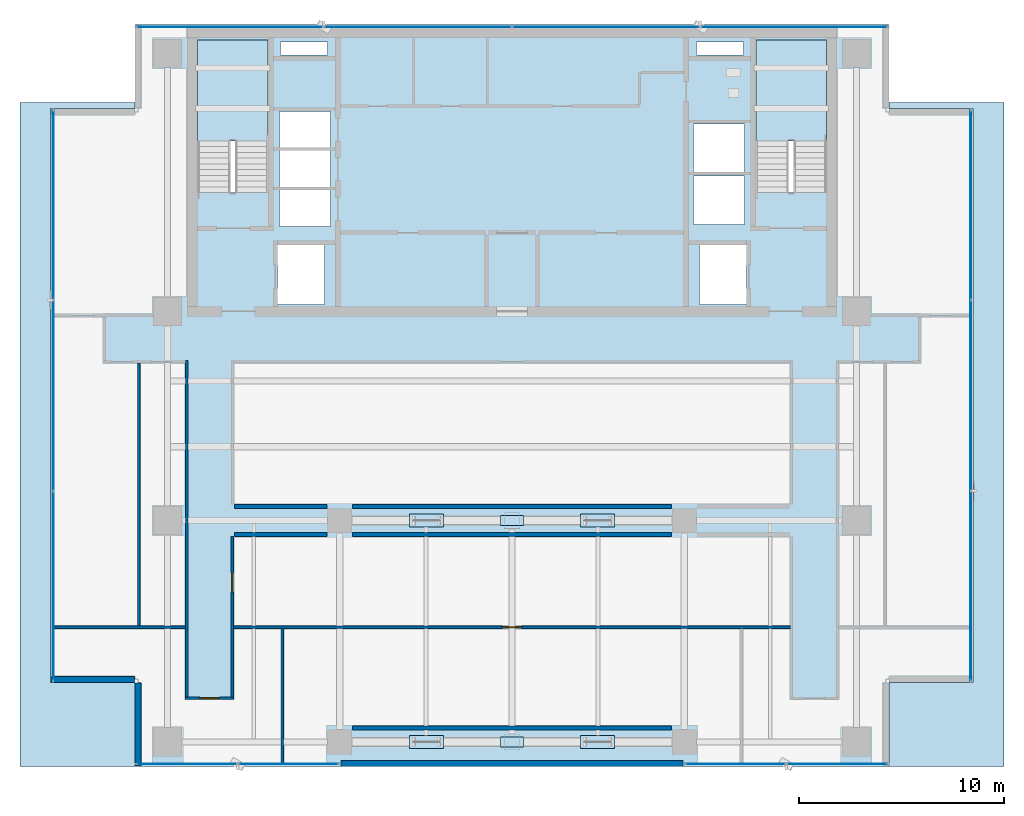
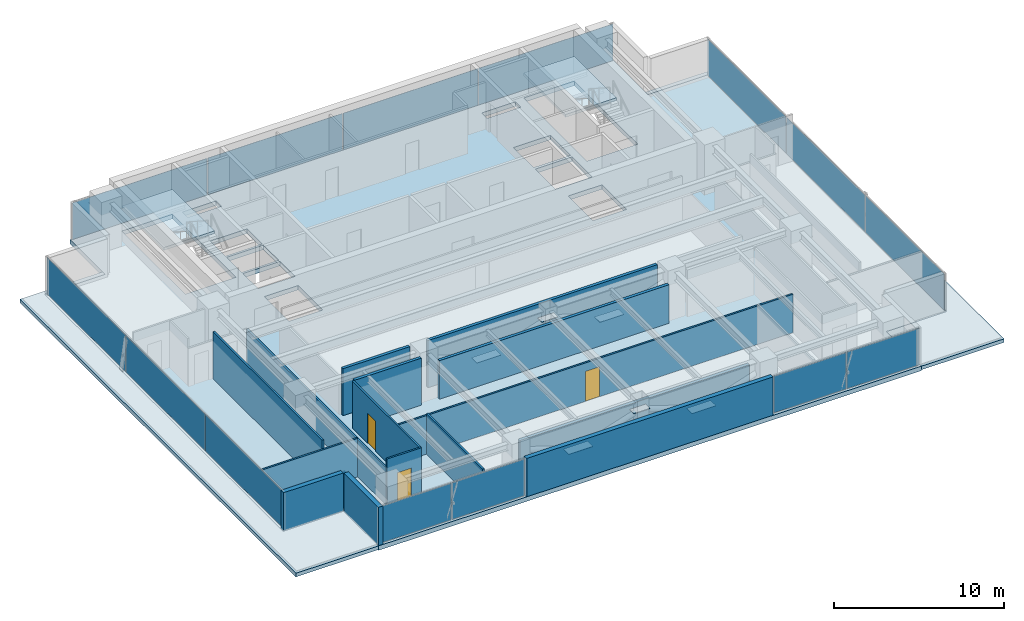
# One storey, part 19 of 27: 20 plates, 15 walls, 5 slabs, 3 doors, 3 openings, 7 elements without a shape of their own.
"""IFC4 building model written with IfcOpenShell, lengths in metres."""

from ifc_helpers import new_model, si_unit, direction, frame, frame_2d, origin, origin_2d, place, context, subcontext, project, spatial, polyline, rectangle, outline, extrude, source, transform, mapped, material, layer, layer_set, type_object, element, fill, aggregate, save


model = new_model("IFC4")

# Units and contexts
model_context = context("Model", 3, precision=1e-05, world=origin(), true_north=direction((0.0, 1.0)))
body_context = subcontext(model_context, "Body", "Model", "MODEL_VIEW")
ifc_project = project(units=[si_unit("LENGTHUNIT", "METRE"), si_unit("AREAUNIT", "SQUARE_METRE"), si_unit("VOLUMEUNIT", "CUBIC_METRE"), si_unit("PLANEANGLEUNIT", "RADIAN"), si_unit("MASSUNIT", "GRAM", prefix="KILO")], contexts=[model_context])

# Site, building, storey
site_placement = place(None, origin())
site = spatial("IfcSite", under=ifc_project, at=site_placement, CompositionType="ELEMENT")
building_placement = place(site_placement, origin())
building = spatial("IfcBuilding", under=site, at=building_placement, Name="Sumidabori Civic Tower", CompositionType="ELEMENT")
storey_placement = place(building_placement, frame((0.0, 0.0, 228.800048828125)))
storey = spatial("IfcBuildingStorey", under=building, at=storey_placement, Name="L59", CompositionType="ELEMENT", Elevation=228.800048828125)

# Stair, slab
ifc_material_1 = material(Name="Concrete C40/50", Category="concrete")
stair_type = type_object("IfcStairType", Name="ST-CORE-1600", PredefinedType="HALF_TURN_STAIR", material=ifc_material_1)
stair_1_placement = place(storey_placement, origin())
stair_1 = element("IfcStair", 1, at=stair_1_placement, inside=storey, type_object=stair_type, Name="L59 ST-1", PredefinedType="HALF_TURN_STAIR")
ifc_layer_1 = layer(ifc_material_1, 0.199951171875, Name="Concrete C40/50")
ifc_layer_set_1 = layer_set([ifc_layer_1], Name="Concrete C40/50")
slab_type_1 = type_object("IfcSlabType", Name="SL-LAND-200", PredefinedType="LANDING", material=ifc_layer_set_1)
slab_1_placement = place(storey_placement, frame((0.0, 0.0, 1.599853515625)))
slab_1 = element("IfcSlab", 2, at=slab_1_placement, type_object=slab_type_1, Name="ST-1 landing 1", PredefinedType="LANDING", context=body_context, shape_type="SweptSolid", body=[
    extrude(outline(polyline([(-11.89990234375, 18.52001953125), (-11.89990234375, 23.449951171875), (-15.340087890625, 23.449951171875), (-15.340087890625, 18.52001953125), (-11.89990234375, 18.52001953125)])), origin(), (0.0, 0.0, 1.0), 0.2001953125),
])
aggregate(stair_1, [slab_1])

stair_2_placement = place(storey_placement, origin())
stair_2 = element("IfcStair", 3, at=stair_2_placement, inside=storey, type_object=stair_type, Name="L59 ST-2", PredefinedType="HALF_TURN_STAIR")
slab_2_placement = place(storey_placement, frame((0.0, 0.0, 1.599853515625)))
slab_2 = element("IfcSlab", 4, at=slab_2_placement, type_object=slab_type_1, Name="ST-2 landing 1", PredefinedType="LANDING", context=body_context, shape_type="SweptSolid", body=[
    extrude(outline(polyline([(15.340087890625, 18.52001953125), (15.340087890625, 23.449951171875), (11.89990234375, 23.449951171875), (11.89990234375, 18.52001953125), (15.340087890625, 18.52001953125)])), origin(), (0.0, 0.0, 1.0), 0.2001953125),
])
aggregate(stair_2, [slab_2])

# Slabs
ifc_layer_2 = layer(ifc_material_1, 0.260009765625, Name="Concrete C40/50")
ifc_layer_set_2 = layer_set([ifc_layer_2], Name="Concrete C40/50")
slab_type_2 = type_object("IfcSlabType", Name="SL-RF-260", PredefinedType="ROOF", material=ifc_layer_set_2)
slab_3_placement = place(storey_placement, frame((0.0, 0.0, -0.260009765625)))
element("IfcSlab", 5, at=slab_3_placement, inside=storey, type_object=slab_type_2, Name="Setback Structural Roof Slab L59-1", PredefinedType="ROOF", context=body_context, shape_type="SweptSolid", body=[
    extrude(outline(polyline([(-24.0, -12.0), (-24.0, 20.39990234375), (-18.39990234375, 20.39990234375), (-18.39990234375, 20.10009765625), (-22.5, 20.10009765625), (-22.5, -7.89990234375), (-18.39990234375, -7.89990234375), (-18.39990234375, -12.0), (-24.0, -12.0)])), origin(), (0.0, 0.0, 1.0), 0.260009765625),
])
slab_4_placement = place(storey_placement, frame((0.0, 0.0, -0.260009765625)))
element("IfcSlab", 6, at=slab_4_placement, inside=storey, type_object=slab_type_2, Name="Setback Structural Roof Slab L59-2", PredefinedType="ROOF", context=body_context, shape_type="SweptSolid", body=[
    extrude(outline(polyline([(24.0, 20.39990234375), (24.0, -12.0), (18.39990234375, -12.0), (18.39990234375, -7.89990234375), (22.5, -7.89990234375), (22.5, 20.10009765625), (18.39990234375, 20.10009765625), (18.39990234375, 20.39990234375), (24.0, 20.39990234375)])), origin(), (0.0, 0.0, 1.0), 0.260009765625),
])
ifc_material_2 = material(Name="Concrete C50/60", Category="concrete")
ifc_layer_3 = layer(ifc_material_2, 0.320068359375, Name="Concrete C50/60")
ifc_layer_set_3 = layer_set([ifc_layer_3], Name="Concrete C50/60")
slab_type_3 = type_object("IfcSlabType", Name="SL-TRN-320", PredefinedType="FLOOR", material=ifc_layer_set_3)
slab_5_placement = place(storey_placement, frame((0.0, 0.0, -0.320068359375)))
element("IfcSlab", 7, at=slab_5_placement, inside=storey, type_object=slab_type_3, Name="Structural Slab L59", PredefinedType="FLOOR", context=body_context, shape_type="SweptSolid", body=[
    extrude(outline(polyline([(-18.39990234375, -12.0), (18.39990234375, -12.0), (18.39990234375, -7.89990234375), (22.5, -7.89990234375), (22.5, 20.10009765625), (18.39990234375, 20.10009765625), (18.39990234375, 24.199951171875), (-18.39990234375, 24.199951171875), (-18.39990234375, 20.10009765625), (-22.5, 20.10009765625), (-22.5, -7.89990234375), (-18.39990234375, -7.89990234375), (-18.39990234375, -12.0)]), holes=[polyline([(-11.89990234375, 16.0), (-11.89990234375, 23.449951171875), (-15.340087890625, 23.449951171875), (-15.340087890625, 16.0), (-11.89990234375, 16.0)]), polyline([(15.340087890625, 16.0), (15.340087890625, 23.449951171875), (11.89990234375, 23.449951171875), (11.89990234375, 16.0), (15.340087890625, 16.0)]), polyline([(-11.449951171875, 10.550048828125), (-9.14990234375, 10.550048828125), (-9.14990234375, 13.449951171875), (-11.449951171875, 13.449951171875), (-11.449951171875, 10.550048828125)]), polyline([(9.14990234375, 10.550048828125), (11.449951171875, 10.550048828125), (11.449951171875, 13.449951171875), (9.14990234375, 13.449951171875), (9.14990234375, 10.550048828125)]), polyline([(-11.35009765625, 14.35009765625), (-8.85009765625, 14.35009765625), (-8.85009765625, 16.1201171875), (-11.35009765625, 16.1201171875), (-11.35009765625, 14.35009765625)]), polyline([(-11.35009765625, 16.27001953125), (-8.85009765625, 16.27001953125), (-8.85009765625, 18.0400390625), (-11.35009765625, 18.0400390625), (-11.35009765625, 16.27001953125)]), polyline([(-11.35009765625, 18.18994140625), (-8.85009765625, 18.18994140625), (-8.85009765625, 19.9599609375), (-11.35009765625, 19.9599609375), (-11.35009765625, 18.18994140625)]), polyline([(8.85009765625, 14.449951171875), (11.35009765625, 14.449951171875), (11.35009765625, 16.800048828125), (8.85009765625, 16.800048828125), (8.85009765625, 14.449951171875)]), polyline([(8.85009765625, 17.0), (11.35009765625, 17.0), (11.35009765625, 19.35009765625), (8.85009765625, 19.35009765625), (8.85009765625, 17.0)]), polyline([(-11.300048828125, 22.719970703125), (-9.0, 22.719970703125), (-9.0, 23.35009765625), (-11.300048828125, 23.35009765625), (-11.300048828125, 22.719970703125)]), polyline([(9.0, 22.719970703125), (11.300048828125, 22.719970703125), (11.300048828125, 23.35009765625), (9.0, 23.35009765625), (9.0, 22.719970703125)])]), origin(), (0.0, 0.0, 1.0), 0.320068359375),
])

# Plates
ifc_material_3 = material(Name="Steel SN490", Category="steel")
ifc_layer_4 = layer(ifc_material_3, 0.0400390625, Name="Steel SN490")
ifc_layer_set_4 = layer_set([ifc_layer_4], Name="Steel SN490")
plate_type_1 = type_object("IfcPlateType", Name="PL-NODE-XBR", PredefinedType="USERDEFINED", material=ifc_layer_set_4)
shared_shape_1 = source(origin(), body_context, "Body", "SweptSolid", [
    extrude(rectangle(XDim=1.64990234375, YDim=0.64990234375, at=origin_2d()), origin(), (0.0, 0.0, 1.0), 0.0400390625),
])
for number, where, z_axis, x_axis, name in (
    (8, (-4.169921875, -10.800048828125, 1.29248046875), (0.0, 0.0, 1.0), (1.0, 0.0, 0.0), "X-Brace Crossing Node Plate XND-PT1-1"),
    (9, (4.169921875, -10.800048828125, 1.29248046875), (0.0, 0.0, 1.0), (1.0, 0.0, 0.0), "X-Brace Crossing Node Plate XND-PT1-2"),
    (10, (-4.169921875, 0.0, 1.29248046875), (0.0, 0.0, 1.0), (1.0, 0.0, 0.0), "X-Brace Crossing Node Plate XND-PT2-1"),
    (11, (4.169921875, 0.0, 1.29248046875), (0.0, 0.0, 1.0), (1.0, 0.0, 0.0), "X-Brace Crossing Node Plate XND-PT2-2"),
):
    element("IfcPlate", number, at=place(storey_placement, frame(where, z_axis=z_axis, x_axis=x_axis)), inside=storey, type_object=plate_type_1, Name=name, ObjectType="GUSSET_PLATE", PredefinedType="USERDEFINED", context=body_context, shape_type="MappedRepresentation", body=[
        mapped(shared_shape_1, transform((0.0, 0.0, 0.0), x_axis=(1.0, 0.0, 0.0), y_axis=(0.0, 1.0, 0.0), z_axis=(0.0, 0.0, 1.0), scale=1.0)),
    ])
ifc_layer_5 = layer(ifc_material_3, 0.035888671875, Name="Steel SN490")
ifc_layer_set_5 = layer_set([ifc_layer_5], Name="Steel SN490")
plate_type_2 = type_object("IfcPlateType", Name="PL-NODE-PT", PredefinedType="USERDEFINED", material=ifc_layer_set_5)
shared_shape_2 = source(origin(), body_context, "Body", "SweptSolid", [
    extrude(rectangle(XDim=1.10009765625, YDim=0.5, at=origin_2d()), origin(), (0.0, 0.0, 1.0), 0.035888671875),
])
for number, where, z_axis, x_axis, name in (
    (12, (0.0, -10.800048828125, 2.626953125), (0.0, 0.0, 1.0), (1.0, 0.0, 0.0), "Portal Head Truss Node Gusset PT-1"),
    (13, (0.0, 0.0, 2.626953125), (0.0, 0.0, 1.0), (1.0, 0.0, 0.0), "Portal Head Truss Node Gusset PT-2"),
):
    element("IfcPlate", number, at=place(storey_placement, frame(where, z_axis=z_axis, x_axis=x_axis)), inside=storey, type_object=plate_type_2, Name=name, ObjectType="GUSSET_PLATE", PredefinedType="USERDEFINED", context=body_context, shape_type="MappedRepresentation", body=[
        mapped(shared_shape_2, transform((0.0, 0.0, 0.0), x_axis=(1.0, 0.0, 0.0), y_axis=(0.0, 1.0, 0.0), z_axis=(0.0, 0.0, 1.0), scale=1.0)),
    ])

# Curtain wall, plates
ifc_material_4 = material(Name="Anodised Bronze Aluminium AW-6063-T6", Category="aluminium")
ifc_layer_6 = layer(ifc_material_4, 0.179931640625, Name="Anodised Bronze Aluminium AW-6063-T6")
ifc_layer_set_6 = layer_set([ifc_layer_6], Name="Anodised Bronze Aluminium AW-6063-T6")
curtain_wall_type = type_object("IfcCurtainWallType", Name="CW-SYS-5", PredefinedType="NOTDEFINED", material=ifc_layer_set_6)
curtain_wall_1_placement = place(storey_placement, origin())
curtain_wall_1 = element("IfcCurtainWall", 14, at=curtain_wall_1_placement, inside=storey, type_object=curtain_wall_type, Name="Curtain Wall CW:L59:R01", PredefinedType="NOTDEFINED")
ifc_material_5 = material(Name="Low-E Solar-Control Vision Glazing", Category="glass")
ifc_layer_7 = layer(ifc_material_5, 0.028076171875, Name="Low-E Solar-Control Vision Glazing")
ifc_layer_set_7 = layer_set([ifc_layer_7], Name="Low-E Solar-Control Vision Glazing")
plate_type_3 = type_object("IfcPlateType", Name="CW-PNL-28", PredefinedType="CURTAIN_PANEL", material=ifc_layer_set_7)
shared_shape_3 = source(origin(), body_context, "Body", "SweptSolid", [
    extrude(rectangle(XDim=4.89501953125, YDim=0.028076171875, at=origin_2d()), origin(), (0.0, 0.0, 1.0), 2.6298828125),
])
plate_1_placement = place(storey_placement, frame((-15.862548828125, -11.8798828125, 0.06005859375), z_axis=(0.0, 0.0, 1.0), x_axis=(1.0, 0.0, 0.0)))
plate_1 = element("IfcPlate", 15, at=plate_1_placement, type_object=plate_type_3, Name="CW-5 panel 1.1", PredefinedType="CURTAIN_PANEL", context=body_context, shape_type="MappedRepresentation", body=[
    mapped(shared_shape_3, transform((0.0, 0.0, 0.0), x_axis=(1.0, 0.0, 0.0), y_axis=(0.0, 1.0, 0.0), z_axis=(0.0, 0.0, 1.0), scale=1.0)),
])
plate_2_placement = place(storey_placement, frame((-10.907470703125, -11.8798828125, 0.06005859375), z_axis=(0.0, 0.0, 1.0), x_axis=(1.0, 0.0, 0.0)))
plate_2 = element("IfcPlate", 16, at=plate_2_placement, type_object=plate_type_3, Name="CW-5 panel 2.1", PredefinedType="CURTAIN_PANEL", context=body_context, shape_type="MappedRepresentation", body=[
    mapped(shared_shape_3, transform((0.0, 0.0, 0.0), x_axis=(1.0, 0.0, 0.0), y_axis=(0.0, 1.0, 0.0), z_axis=(0.0, 0.0, 1.0), scale=1.0)),
])
aggregate(curtain_wall_1, [plate_1, plate_2])

curtain_wall_2_placement = place(storey_placement, origin())
curtain_wall_2 = element("IfcCurtainWall", 17, at=curtain_wall_2_placement, inside=storey, type_object=curtain_wall_type, Name="Curtain Wall CW:L59:R02", PredefinedType="NOTDEFINED")
plate_3_placement = place(storey_placement, frame((10.907470703125, -11.8798828125, 0.06005859375), z_axis=(0.0, 0.0, 1.0), x_axis=(1.0, 0.0, 0.0)))
plate_3 = element("IfcPlate", 18, at=plate_3_placement, type_object=plate_type_3, Name="CW-5 panel 1.1", PredefinedType="CURTAIN_PANEL", context=body_context, shape_type="MappedRepresentation", body=[
    mapped(shared_shape_3, transform((0.0, 0.0, 0.0), x_axis=(1.0, 0.0, 0.0), y_axis=(0.0, 1.0, 0.0), z_axis=(0.0, 0.0, 1.0), scale=1.0)),
])
plate_4_placement = place(storey_placement, frame((15.862548828125, -11.8798828125, 0.06005859375), z_axis=(0.0, 0.0, 1.0), x_axis=(1.0, 0.0, 0.0)))
plate_4 = element("IfcPlate", 19, at=plate_4_placement, type_object=plate_type_3, Name="CW-5 panel 2.1", PredefinedType="CURTAIN_PANEL", context=body_context, shape_type="MappedRepresentation", body=[
    mapped(shared_shape_3, transform((0.0, 0.0, 0.0), x_axis=(1.0, 0.0, 0.0), y_axis=(0.0, 1.0, 0.0), z_axis=(0.0, 0.0, 1.0), scale=1.0)),
])
aggregate(curtain_wall_2, [plate_3, plate_4])

curtain_wall_3_placement = place(storey_placement, origin())
curtain_wall_3 = element("IfcCurtainWall", 20, at=curtain_wall_3_placement, inside=storey, type_object=curtain_wall_type, Name="Curtain Wall CW:L59:R05", PredefinedType="NOTDEFINED")
shared_shape_4 = source(origin(), body_context, "Body", "SweptSolid", [
    extrude(rectangle(XDim=9.223388671875, YDim=0.028076171875, at=origin_2d()), origin(), (0.0, 0.0, 1.0), 2.6298828125),
])
plate_5_placement = place(storey_placement, frame((22.3798828125, -3.1982421875, 0.06005859375), z_axis=(0.0, 0.0, 1.0), x_axis=(0.0, 1.0, 0.0)))
plate_5 = element("IfcPlate", 21, at=plate_5_placement, type_object=plate_type_3, Name="CW-5 panel 1.1", PredefinedType="CURTAIN_PANEL", context=body_context, shape_type="MappedRepresentation", body=[
    mapped(shared_shape_4, transform((0.0, 0.0, 0.0), x_axis=(1.0, 0.0, 0.0), y_axis=(0.0, 1.0, 0.0), z_axis=(0.0, 0.0, 1.0), scale=1.0)),
])
plate_6_placement = place(storey_placement, frame((22.3798828125, 15.3984375, 0.06005859375), z_axis=(0.0, 0.0, 1.0), x_axis=(0.0, 1.0, 0.0)))
plate_6 = element("IfcPlate", 22, at=plate_6_placement, type_object=plate_type_3, Name="CW-5 panel 3.1", PredefinedType="CURTAIN_PANEL", context=body_context, shape_type="MappedRepresentation", body=[
    mapped(shared_shape_4, transform((0.0, 0.0, 0.0), x_axis=(1.0, 0.0, 0.0), y_axis=(0.0, 1.0, 0.0), z_axis=(0.0, 0.0, 1.0), scale=1.0)),
])

curtain_wall_4_placement = place(storey_placement, origin())
curtain_wall_4 = element("IfcCurtainWall", 23, at=curtain_wall_4_placement, inside=storey, type_object=curtain_wall_type, Name="Curtain Wall CW:L59:R11", PredefinedType="NOTDEFINED")
plate_7_placement = place(storey_placement, frame((-22.3798828125, 15.3984375, 0.06005859375), z_axis=(0.0, 0.0, 1.0), x_axis=(0.0, -1.0, 0.0)))
plate_7 = element("IfcPlate", 24, at=plate_7_placement, type_object=plate_type_3, Name="CW-5 panel 1.1", PredefinedType="CURTAIN_PANEL", context=body_context, shape_type="MappedRepresentation", body=[
    mapped(shared_shape_4, transform((0.0, 0.0, 0.0), x_axis=(1.0, 0.0, 0.0), y_axis=(0.0, 1.0, 0.0), z_axis=(0.0, 0.0, 1.0), scale=1.0)),
])
plate_8_placement = place(storey_placement, frame((-22.3798828125, -3.1982421875, 0.06005859375), z_axis=(0.0, 0.0, 1.0), x_axis=(0.0, -1.0, 0.0)))
plate_8 = element("IfcPlate", 25, at=plate_8_placement, type_object=plate_type_3, Name="CW-5 panel 3.1", PredefinedType="CURTAIN_PANEL", context=body_context, shape_type="MappedRepresentation", body=[
    mapped(shared_shape_4, transform((0.0, 0.0, 0.0), x_axis=(1.0, 0.0, 0.0), y_axis=(0.0, 1.0, 0.0), z_axis=(0.0, 0.0, 1.0), scale=1.0)),
])

# Plate
shared_shape_5 = source(origin(), body_context, "Body", "SweptSolid", [
    extrude(rectangle(XDim=9.25341796875, YDim=0.028076171875, at=origin_2d()), origin(), (0.0, 0.0, 1.0), 2.6298828125),
])
plate_9_placement = place(storey_placement, frame((22.3798828125, 6.10009765625, 0.06005859375), z_axis=(0.0, 0.0, 1.0), x_axis=(0.0, 1.0, 0.0)))
plate_9 = element("IfcPlate", 26, at=plate_9_placement, type_object=plate_type_3, Name="CW-5 panel 2.1", PredefinedType="CURTAIN_PANEL", context=body_context, shape_type="MappedRepresentation", body=[
    mapped(shared_shape_5, transform((0.0, 0.0, 0.0), x_axis=(1.0, 0.0, 0.0), y_axis=(0.0, 1.0, 0.0), z_axis=(0.0, 0.0, 1.0), scale=1.0)),
])

aggregate(curtain_wall_3, [plate_5, plate_9, plate_6])

plate_10_placement = place(storey_placement, frame((-22.3798828125, 6.10009765625, 0.06005859375), z_axis=(0.0, 0.0, 1.0), x_axis=(0.0, -1.0, 0.0)))
plate_10 = element("IfcPlate", 27, at=plate_10_placement, type_object=plate_type_3, Name="CW-5 panel 2.1", PredefinedType="CURTAIN_PANEL", context=body_context, shape_type="MappedRepresentation", body=[
    mapped(shared_shape_5, transform((0.0, 0.0, 0.0), x_axis=(1.0, 0.0, 0.0), y_axis=(0.0, 1.0, 0.0), z_axis=(0.0, 0.0, 1.0), scale=1.0)),
])

aggregate(curtain_wall_4, [plate_7, plate_10, plate_8])

# Curtain wall, plates
curtain_wall_5_placement = place(storey_placement, origin())
curtain_wall_5 = element("IfcCurtainWall", 28, at=curtain_wall_5_placement, inside=storey, type_object=curtain_wall_type, Name="Curtain Wall CW:L59:R08", PredefinedType="NOTDEFINED")
shared_shape_6 = source(origin(), body_context, "Body", "SweptSolid", [
    extrude(rectangle(XDim=9.094970703125, YDim=0.028076171875, at=origin_2d()), origin(), (0.0, 0.0, 1.0), 2.6298828125),
])
plate_11_placement = place(storey_placement, frame((13.762451171875, 24.080078125, 0.06005859375), z_axis=(0.0, 0.0, 1.0), x_axis=(-1.0, 0.0, 0.0)))
plate_11 = element("IfcPlate", 29, at=plate_11_placement, type_object=plate_type_3, Name="CW-5 panel 1.1", PredefinedType="CURTAIN_PANEL", context=body_context, shape_type="MappedRepresentation", body=[
    mapped(shared_shape_6, transform((0.0, 0.0, 0.0), x_axis=(1.0, 0.0, 0.0), y_axis=(0.0, 1.0, 0.0), z_axis=(0.0, 0.0, 1.0), scale=1.0)),
])
plate_12_placement = place(storey_placement, frame((-13.762451171875, 24.080078125, 0.06005859375), z_axis=(0.0, 0.0, 1.0), x_axis=(-1.0, 0.0, 0.0)))
plate_12 = element("IfcPlate", 30, at=plate_12_placement, type_object=plate_type_3, Name="CW-5 panel 4.1", PredefinedType="CURTAIN_PANEL", context=body_context, shape_type="MappedRepresentation", body=[
    mapped(shared_shape_6, transform((0.0, 0.0, 0.0), x_axis=(1.0, 0.0, 0.0), y_axis=(0.0, 1.0, 0.0), z_axis=(0.0, 0.0, 1.0), scale=1.0)),
])
shared_shape_7 = source(origin(), body_context, "Body", "SweptSolid", [
    extrude(rectangle(XDim=9.125, YDim=0.028076171875, at=origin_2d()), origin(), (0.0, 0.0, 1.0), 2.6298828125),
])
plate_13_placement = place(storey_placement, frame((4.592529296875, 24.080078125, 0.06005859375), z_axis=(0.0, 0.0, 1.0), x_axis=(-1.0, 0.0, 0.0)))
plate_13 = element("IfcPlate", 31, at=plate_13_placement, type_object=plate_type_3, Name="CW-5 panel 2.1", PredefinedType="CURTAIN_PANEL", context=body_context, shape_type="MappedRepresentation", body=[
    mapped(shared_shape_7, transform((0.0, 0.0, 0.0), x_axis=(1.0, 0.0, 0.0), y_axis=(0.0, 1.0, 0.0), z_axis=(0.0, 0.0, 1.0), scale=1.0)),
])
plate_14_placement = place(storey_placement, frame((-4.592529296875, 24.080078125, 0.06005859375), z_axis=(0.0, 0.0, 1.0), x_axis=(-1.0, 0.0, 0.0)))
plate_14 = element("IfcPlate", 32, at=plate_14_placement, type_object=plate_type_3, Name="CW-5 panel 3.1", PredefinedType="CURTAIN_PANEL", context=body_context, shape_type="MappedRepresentation", body=[
    mapped(shared_shape_7, transform((0.0, 0.0, 0.0), x_axis=(1.0, 0.0, 0.0), y_axis=(0.0, 1.0, 0.0), z_axis=(0.0, 0.0, 1.0), scale=1.0)),
])
aggregate(curtain_wall_5, [plate_11, plate_13, plate_14, plate_12])

# Walls
ifc_material_6 = material(Name="Precast concrete C40/50", Category="concrete")
ifc_layer_8 = layer(ifc_material_6, 0.300048828125, Name="Precast concrete C40/50")
ifc_layer_set_8 = layer_set([ifc_layer_8], Name="Precast concrete C40/50")
wall_type_1 = type_object("IfcWallType", Name="WL-EXT-POD300", PredefinedType="STANDARD", material=ifc_layer_set_8)
shared_shape_8 = source(origin(), body_context, "Body", "SweptSolid", [
    extrude(rectangle(XDim=16.7001953125, YDim=0.300048828125, at=frame_2d((8.35009765625, 0.0))), origin(), (0.0, 0.0, 1.0), 2.75),
])
wall_1_placement = place(storey_placement, frame((-8.35009765625, -11.85009765625, 0.0), z_axis=(0.0, 0.0, 1.0), x_axis=(1.0, 0.0, 0.0)))
element("IfcWall", 33, at=wall_1_placement, inside=storey, type_object=wall_type_1, Name="Portal Head Transfer Truss Spandrel L59", PredefinedType="STANDARD", context=body_context, shape_type="MappedRepresentation", body=[
    mapped(shared_shape_8, transform((0.0, 0.0, 0.0), x_axis=(1.0, 0.0, 0.0), y_axis=(0.0, 1.0, 0.0), z_axis=(0.0, 0.0, 1.0), scale=1.0)),
])
shared_shape_9 = source(origin(), body_context, "Body", "SweptSolid", [
    extrude(rectangle(XDim=4.06005859375, YDim=0.300048828125, at=frame_2d((2.030029296875, 0.0))), origin(), (0.0, 0.0, 1.0), 2.75),
])
for number, where, z_axis, x_axis, name in (
    (34, (-22.47998046875, -7.75, 0.0), (0.0, 0.0, 1.0), (1.0, 0.0, 0.0), "Notched Corner Spandrel Band L59-12"),
    (35, (-18.25, -7.919921875, 0.0), (0.0, 0.0, 1.0), (0.0, -1.0, 0.0), "Notched Corner Spandrel Band L59-13"),
):
    element("IfcWall", number, at=place(storey_placement, frame(where, z_axis=z_axis, x_axis=x_axis)), inside=storey, type_object=wall_type_1, Name=name, PredefinedType="STANDARD", context=body_context, shape_type="MappedRepresentation", body=[
        mapped(shared_shape_9, transform((0.0, 0.0, 0.0), x_axis=(1.0, 0.0, 0.0), y_axis=(0.0, 1.0, 0.0), z_axis=(0.0, 0.0, 1.0), scale=1.0)),
    ])
ifc_material_7 = material(Name="Gypsum Plasterboard Fire Partition")
ifc_layer_9 = layer(ifc_material_7, 0.199951171875, Name="Gypsum Plasterboard Fire Partition")
ifc_layer_set_9 = layer_set([ifc_layer_9], Name="Gypsum Plasterboard Fire Partition")
wall_type_2 = type_object("IfcWallType", Name="WL-PART-FIRE", PredefinedType="PARTITIONING", material=ifc_layer_set_9)
shared_shape_10 = source(origin(), body_context, "Body", "SweptSolid", [
    extrude(rectangle(XDim=15.56005859375, YDim=0.199951171875, at=frame_2d((7.780029296875, 0.0))), origin(), (0.0, 0.0, 1.0), 2.7548828125),
])
for number, where, z_axis, x_axis, name in (
    (36, (-7.780029296875, -10.1201171875, 0.0), (0.0, 0.0, 1.0), (1.0, 0.0, 0.0), "Interior Partition WL:L59:PT1-CAS"),
    (37, (-7.780029296875, -0.679931640625, 0.0), (0.0, 0.0, 1.0), (1.0, 0.0, 0.0), "Interior Partition WL:L59:PT2-SM"),
):
    element("IfcWall", number, at=place(storey_placement, frame(where, z_axis=z_axis, x_axis=x_axis)), inside=storey, type_object=wall_type_2, Name=name, PredefinedType="PARTITIONING", context=body_context, shape_type="MappedRepresentation", body=[
        mapped(shared_shape_10, transform((0.0, 0.0, 0.0), x_axis=(1.0, 0.0, 0.0), y_axis=(0.0, 1.0, 0.0), z_axis=(0.0, 0.0, 1.0), scale=1.0)),
    ])
shared_shape_11 = source(origin(), body_context, "Body", "SweptSolid", [
    extrude(rectangle(XDim=4.52001953125, YDim=0.199951171875, at=frame_2d((2.260009765625, 0.0))), origin(), (0.0, 0.0, 1.0), 3.369873046875),
])
for number, where, z_axis, x_axis, name in (
    (38, (-13.5400390625, 0.679931640625, 0.0), (0.0, 0.0, 1.0), (1.0, 0.0, 0.0), "Interior Partition WL:L59:PT2-NW"),
    (39, (-13.5400390625, -0.679931640625, 0.0), (0.0, 0.0, 1.0), (1.0, 0.0, 0.0), "Interior Partition WL:L59:PT2-SW"),
):
    element("IfcWall", number, at=place(storey_placement, frame(where, z_axis=z_axis, x_axis=x_axis)), inside=storey, type_object=wall_type_2, Name=name, PredefinedType="PARTITIONING", context=body_context, shape_type="MappedRepresentation", body=[
        mapped(shared_shape_11, transform((0.0, 0.0, 0.0), x_axis=(1.0, 0.0, 0.0), y_axis=(0.0, 1.0, 0.0), z_axis=(0.0, 0.0, 1.0), scale=1.0)),
    ])
shared_shape_12 = source(origin(), body_context, "Body", "SweptSolid", [
    extrude(rectangle(XDim=15.56005859375, YDim=0.199951171875, at=frame_2d((7.780029296875, 0.0))), origin(), (0.0, 0.0, 1.0), 3.369873046875),
])
wall_2_placement = place(storey_placement, frame((-7.780029296875, 0.679931640625, 0.0), z_axis=(0.0, 0.0, 1.0), x_axis=(1.0, 0.0, 0.0)))
element("IfcWall", 40, at=wall_2_placement, inside=storey, type_object=wall_type_2, Name="Interior Partition WL:L59:PT2-NM", PredefinedType="PARTITIONING", context=body_context, shape_type="MappedRepresentation", body=[
    mapped(shared_shape_12, transform((0.0, 0.0, 0.0), x_axis=(1.0, 0.0, 0.0), y_axis=(0.0, 1.0, 0.0), z_axis=(0.0, 0.0, 1.0), scale=1.0)),
])

# Wall, opening, door
ifc_material_8 = material(Name="Gypsum Plasterboard Acoustic Partition")
ifc_layer_10 = layer(ifc_material_8, 0.1201171875, Name="Gypsum Plasterboard Acoustic Partition")
ifc_layer_set_10 = layer_set([ifc_layer_10], Name="Gypsum Plasterboard Acoustic Partition")
wall_type_3 = type_object("IfcWallType", Name="WL-PART-120", PredefinedType="PARTITIONING", material=ifc_layer_set_10)
shared_shape_13 = source(origin(), body_context, "Body", "SweptSolid", [
    extrude(rectangle(XDim=2.33984375, YDim=0.1201171875, at=frame_2d((1.169921875, 0.0))), origin(), (0.0, 0.0, 1.0), 3.369873046875),
])
wall_3_placement = place(storey_placement, frame((-15.919921875, -8.659912109375, 0.0), z_axis=(0.0, 0.0, 1.0), x_axis=(1.0, 0.0, 0.0)))
wall_3 = element("IfcWall", 41, at=wall_3_placement, inside=storey, type_object=wall_type_3, Name="Interior Partition WL:L59:CORR-CAP-W", PredefinedType="PARTITIONING", context=body_context, shape_type="MappedRepresentation", body=[
    mapped(shared_shape_13, transform((0.0, 0.0, 0.0), x_axis=(1.0, 0.0, 0.0), y_axis=(0.0, 1.0, 0.0), z_axis=(0.0, 0.0, 1.0), scale=1.0)),
])
opening_1_placement = place(wall_3_placement, frame((0.695068359375, 0.0, 0.0)))
opening_1 = element("IfcOpeningElement", 42, at=opening_1_placement, cuts=wall_3, Name="Opening DR-2", PredefinedType="OPENING", context=body_context, shape_type="SweptSolid", body=[
    extrude(rectangle(XDim=0.949951171875, YDim=2.14990234375, at=frame_2d((0.47509765625, 1.074951171875))), frame((0.0, 0.072021484375, 0.0), z_axis=(0.0, -1.0, 0.0), x_axis=(1.0, 0.0, 0.0)), (0.0, 0.0, 1.0), 0.14404296875),
])
ifc_material_9 = material(Name="Japanese Hinoki Timber", Category="wood")
door_type = type_object("IfcDoorType", Name="DR-INT-950", OperationType="NOTDEFINED", PredefinedType="DOOR", material=ifc_material_9)
shared_shape_14 = source(origin(), body_context, "Body", "SweptSolid", [
    extrude(rectangle(XDim=0.949951171875, YDim=2.14990234375, at=frame_2d((0.47509765625, 1.074951171875))), frame((0.0, 0.02490234375, 0.0), z_axis=(0.0, -1.0, 0.0), x_axis=(1.0, 0.0, 0.0)), (0.0, 0.0, 1.0), 0.050048828125),
])
door_1_placement = place(opening_1_placement, origin())
door_1 = element("IfcDoor", 43, at=door_1_placement, inside=storey, type_object=door_type, Name="Door DR:L59:D07", OperationType="SINGLE_SWING_LEFT", OverallHeight=2.14990234375, OverallWidth=0.949951171875, PredefinedType="DOOR", context=body_context, shape_type="MappedRepresentation", body=[
    mapped(shared_shape_14, transform((0.0, 0.0, 0.0), x_axis=(1.0, 0.0, 0.0), y_axis=(0.0, 1.0, 0.0), z_axis=(0.0, 0.0, 1.0), scale=1.0)),
])
fill(opening_1, door_1)

# Wall
shared_shape_15 = source(origin(), body_context, "Body", "SweptSolid", [
    extrude(rectangle(XDim=16.39501953125, YDim=0.1201171875, at=frame_2d((8.197509765625, 0.0))), origin(), (0.0, 0.0, 1.0), 2.655029296875),
])
wall_4_placement = place(storey_placement, frame((-15.860107421875, -8.594970703125, 0.0), z_axis=(0.0, 0.0, 1.0), x_axis=(0.0, 1.0, 0.0)))
element("IfcWall", 44, at=wall_4_placement, inside=storey, type_object=wall_type_3, Name="Interior Partition WL:L59:CORR-VPW-O", PredefinedType="PARTITIONING", context=body_context, shape_type="MappedRepresentation", body=[
    mapped(shared_shape_15, transform((0.0, 0.0, 0.0), x_axis=(1.0, 0.0, 0.0), y_axis=(0.0, 1.0, 0.0), z_axis=(0.0, 0.0, 1.0), scale=1.0)),
])

# Wall, opening, door
shared_shape_16 = source(origin(), body_context, "Body", "SweptSolid", [
    extrude(rectangle(XDim=7.81494140625, YDim=0.1201171875, at=frame_2d((3.907470703125, 0.0))), origin(), (0.0, 0.0, 1.0), 3.369873046875),
])
wall_5_placement = place(storey_placement, frame((-13.639892578125, -8.594970703125, 0.0), z_axis=(0.0, 0.0, 1.0), x_axis=(0.0, 1.0, 0.0)))
wall_5 = element("IfcWall", 45, at=wall_5_placement, inside=storey, type_object=wall_type_3, Name="Interior Partition WL:L59:CORR-VPW-I-1", PredefinedType="PARTITIONING", context=body_context, shape_type="MappedRepresentation", body=[
    mapped(shared_shape_16, transform((0.0, 0.0, 0.0), x_axis=(1.0, 0.0, 0.0), y_axis=(0.0, 1.0, 0.0), z_axis=(0.0, 0.0, 1.0), scale=1.0)),
])
opening_2_placement = place(wall_5_placement, frame((5.10009765625, 0.0, 0.0)))
opening_2 = element("IfcOpeningElement", 46, at=opening_2_placement, cuts=wall_5, Name="Opening DR-2", PredefinedType="OPENING", context=body_context, shape_type="SweptSolid", body=[
    extrude(rectangle(XDim=0.949951171875, YDim=2.14990234375, at=frame_2d((0.47509765625, 1.074951171875))), frame((0.0, 0.072021484375, 0.0), z_axis=(0.0, -1.0, 0.0), x_axis=(1.0, 0.0, 0.0)), (0.0, 0.0, 1.0), 0.14404296875),
])
door_2_placement = place(opening_2_placement, origin())
door_2 = element("IfcDoor", 47, at=door_2_placement, inside=storey, type_object=door_type, Name="Door DR:L59:D06", OperationType="SINGLE_SWING_RIGHT", OverallHeight=2.14990234375, OverallWidth=0.949951171875, PredefinedType="DOOR", context=body_context, shape_type="MappedRepresentation", body=[
    mapped(shared_shape_14, transform((0.0, 0.0, 0.0), x_axis=(1.0, 0.0, 0.0), y_axis=(0.0, 1.0, 0.0), z_axis=(0.0, 0.0, 1.0), scale=1.0)),
])
fill(opening_2, door_2)

# Wall
shared_shape_17 = source(origin(), body_context, "Body", "SweptSolid", [
    extrude(rectangle(XDim=6.425048828125, YDim=0.1201171875, at=frame_2d((3.21240234375, 0.0))), origin(), (0.0, 0.0, 1.0), 2.7548828125),
])
wall_6_placement = place(storey_placement, frame((-22.35009765625, -5.199951171875, 0.0), z_axis=(0.0, 0.0, 1.0), x_axis=(1.0, 0.0, 0.0)))
element("IfcWall", 48, at=wall_6_placement, inside=storey, type_object=wall_type_3, Name="Interior Partition WL:L59:BAND-Y-1", PredefinedType="PARTITIONING", context=body_context, shape_type="MappedRepresentation", body=[
    mapped(shared_shape_17, transform((0.0, 0.0, 0.0), x_axis=(1.0, 0.0, 0.0), y_axis=(0.0, 1.0, 0.0), z_axis=(0.0, 0.0, 1.0), scale=1.0)),
])

# Wall, opening, door
shared_shape_18 = source(origin(), body_context, "Body", "SweptSolid", [
    extrude(rectangle(XDim=27.14990234375, YDim=0.1201171875, at=frame_2d((13.574951171875, 0.0))), origin(), (0.0, 0.0, 1.0), 2.7548828125),
])
wall_7_placement = place(storey_placement, frame((-13.574951171875, -5.199951171875, 0.0), z_axis=(0.0, 0.0, 1.0), x_axis=(1.0, 0.0, 0.0)))
wall_7 = element("IfcWall", 49, at=wall_7_placement, inside=storey, type_object=wall_type_3, Name="Interior Partition WL:L59:BAND-Y-2", PredefinedType="PARTITIONING", context=body_context, shape_type="MappedRepresentation", body=[
    mapped(shared_shape_18, transform((0.0, 0.0, 0.0), x_axis=(1.0, 0.0, 0.0), y_axis=(0.0, 1.0, 0.0), z_axis=(0.0, 0.0, 1.0), scale=1.0)),
])
opening_3_placement = place(wall_7_placement, frame((13.10009765625, 0.0, 0.0)))
opening_3 = element("IfcOpeningElement", 50, at=opening_3_placement, cuts=wall_7, Name="Opening DR-2", PredefinedType="OPENING", context=body_context, shape_type="SweptSolid", body=[
    extrude(rectangle(XDim=0.949951171875, YDim=2.14990234375, at=frame_2d((0.47509765625, 1.074951171875))), frame((0.0, 0.072021484375, 0.0), z_axis=(0.0, -1.0, 0.0), x_axis=(1.0, 0.0, 0.0)), (0.0, 0.0, 1.0), 0.14404296875),
])
door_3_placement = place(opening_3_placement, origin())
door_3 = element("IfcDoor", 51, at=door_3_placement, inside=storey, type_object=door_type, Name="Door DR:L59:D11", OperationType="SINGLE_SWING_LEFT", OverallHeight=2.14990234375, OverallWidth=0.949951171875, PredefinedType="DOOR", context=body_context, shape_type="MappedRepresentation", body=[
    mapped(shared_shape_14, transform((0.0, 0.0, 0.0), x_axis=(1.0, 0.0, 0.0), y_axis=(0.0, 1.0, 0.0), z_axis=(0.0, 0.0, 1.0), scale=1.0)),
])
fill(opening_3, door_3)

# Walls
shared_shape_19 = source(origin(), body_context, "Body", "SweptSolid", [
    extrude(rectangle(XDim=12.81005859375, YDim=0.1201171875, at=frame_2d((6.405029296875, 0.0))), origin(), (0.0, 0.0, 1.0), 3.369873046875),
])
wall_8_placement = place(storey_placement, frame((-18.199951171875, -5.135009765625, 0.0), z_axis=(0.0, 0.0, 1.0), x_axis=(0.0, 1.0, 0.0)))
element("IfcWall", 52, at=wall_8_placement, inside=storey, type_object=wall_type_3, Name="Interior Partition WL:L59:VX-N1", PredefinedType="PARTITIONING", context=body_context, shape_type="MappedRepresentation", body=[
    mapped(shared_shape_19, transform((0.0, 0.0, 0.0), x_axis=(1.0, 0.0, 0.0), y_axis=(0.0, 1.0, 0.0), z_axis=(0.0, 0.0, 1.0), scale=1.0)),
])
shared_shape_20 = source(origin(), body_context, "Body", "SweptSolid", [
    extrude(rectangle(XDim=6.585205078125, YDim=0.1201171875, at=frame_2d((3.29248046875, 0.0))), origin(), (0.0, 0.0, 1.0), 2.905029296875),
])
wall_9_placement = place(storey_placement, frame((-11.199951171875, -11.85009765625, 0.0), z_axis=(0.0, 0.0, 1.0), x_axis=(0.0, 1.0, 0.0)))
element("IfcWall", 53, at=wall_9_placement, inside=storey, type_object=wall_type_3, Name="Interior Partition WL:L59:VX-S1", PredefinedType="PARTITIONING", context=body_context, shape_type="MappedRepresentation", body=[
    mapped(shared_shape_20, transform((0.0, 0.0, 0.0), x_axis=(1.0, 0.0, 0.0), y_axis=(0.0, 1.0, 0.0), z_axis=(0.0, 0.0, 1.0), scale=1.0)),
])

save(model, "model.ifc")
